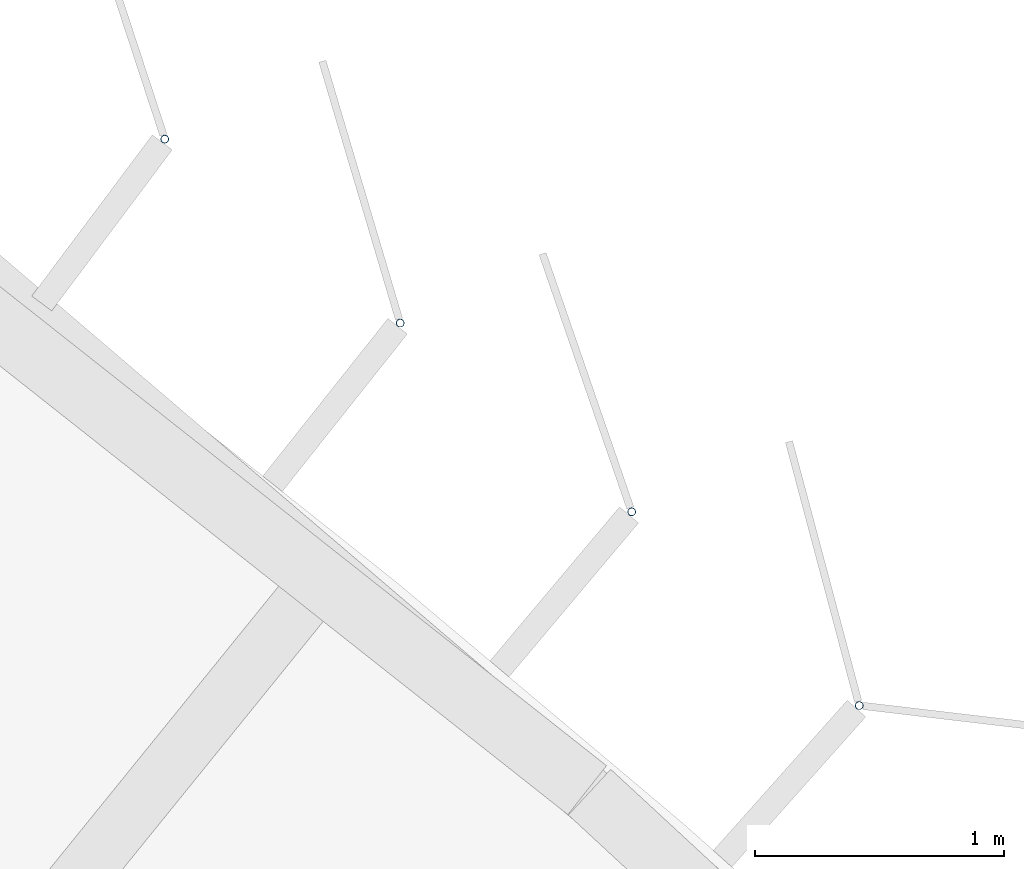
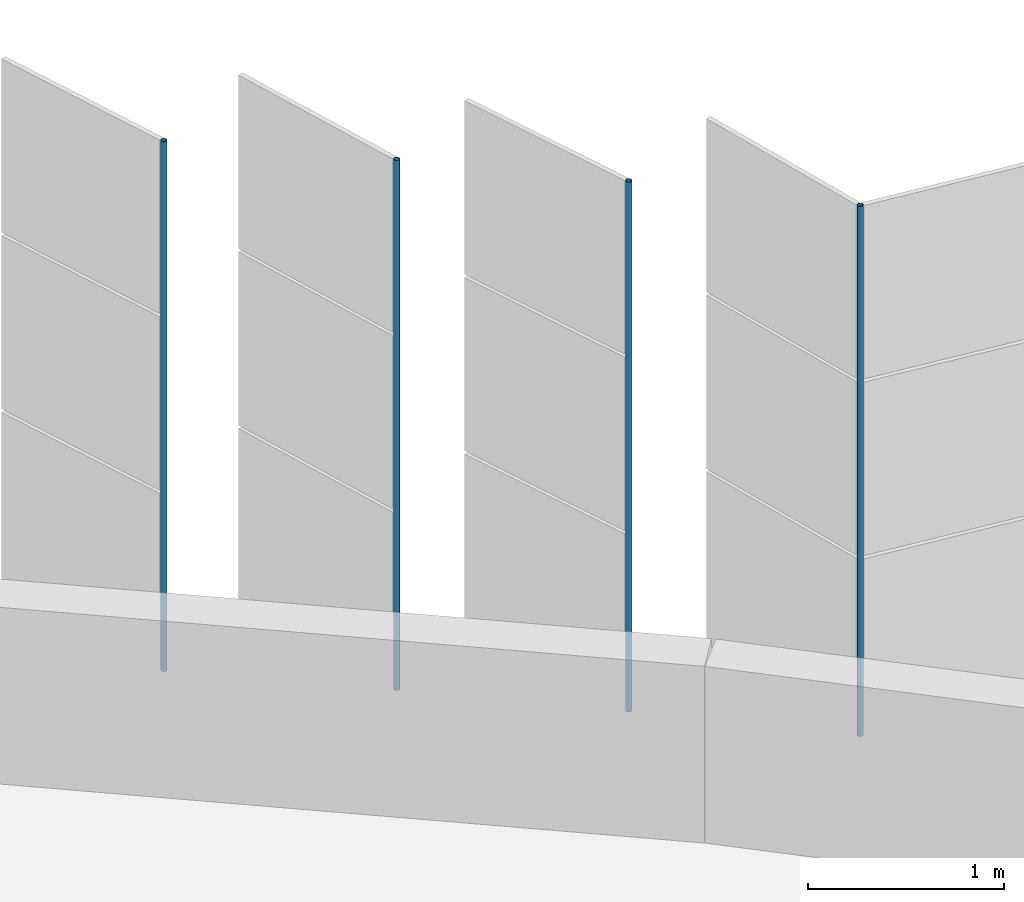
# One storey, part 128 of 199: 4 discrete accessories.
"""IFC4 building model written with IfcOpenShell, lengths in metres."""

from ifc_helpers import new_model, si_unit, direction, frame, origin, origin_2d, place, context, subcontext, project, spatial, hollow_circle, extrude, material, material_profile, profile_set, type_object, element, save


model = new_model("IFC4")

# Units and contexts
model_context = context("Model", 3, precision=1e-05, world=origin(), true_north=direction((0.0, 1.0)))
body_context = subcontext(model_context, "Body", "Model", "MODEL_VIEW")
ifc_project = project(units=[si_unit("LENGTHUNIT", "METRE"), si_unit("AREAUNIT", "SQUARE_METRE"), si_unit("VOLUMEUNIT", "CUBIC_METRE"), si_unit("PLANEANGLEUNIT", "RADIAN"), si_unit("MASSUNIT", "GRAM", prefix="KILO")], contexts=[model_context])

# Site, building, storey
site_placement = place(None, origin())
site = spatial("IfcSite", under=ifc_project, at=site_placement, CompositionType="ELEMENT")
building_placement = place(site_placement, origin())
building = spatial("IfcBuilding", under=site, at=building_placement, Name="Parallax Yard Mobility Hub", CompositionType="ELEMENT")
storey_placement = place(building_placement, frame((0.0, 0.0, 9.89990234375)))
storey = spatial("IfcBuildingStorey", under=building, at=storey_placement, Name="L03", CompositionType="ELEMENT", Elevation=9.89990234375)

# Discrete accessories
ifc_material = material(Name="Steel ASTM A500 Gr C, hot-dip galvanised", Category="steel")
ifc_material_profile = material_profile(ifc_material, hollow_circle(Radius=0.016845703125, WallThickness=0.003173828125, at=origin_2d()), Name="CHS 33.7x3.2")
ifc_profile_set = profile_set([ifc_material_profile], Name="Steel ASTM A500 Gr C, hot-dip galvanised")
discrete_accessory_type = type_object("IfcDiscreteAccessoryType", Name="Hinge post CHS 33.7x3.2", PredefinedType="BRACKET", material=ifc_profile_set)
for number, where, z_axis, x_axis, name in (
    (1, (207.5859375, 130.151123046875, 0.0), (0.0, 0.0, 1.0), (1.0, 0.0, 0.0), "Hinge post bay 46.4 level L03"),
    (2, (206.67236328125, 130.9287109375, 0.0), (0.0, 0.0, 1.0), (1.0, 0.0, 0.0), "Hinge post bay 46.5 level L03"),
    (3, (205.742919921875, 131.686767578125, 0.0), (0.0, 0.0, 1.0), (1.0, 0.0, 0.0), "Hinge post bay 46.6 level L03"),
    (4, (204.797607421875, 132.42529296875, 0.0), (0.0, 0.0, 1.0), (1.0, 0.0, 0.0), "Hinge post bay 46.7 level L03"),
):
    element("IfcDiscreteAccessory", number, at=place(storey_placement, frame(where, z_axis=z_axis, x_axis=x_axis)), inside=storey, type_object=discrete_accessory_type, Name=name, PredefinedType="BRACKET", context=body_context, shape_type="SweptSolid", body=[
        extrude(hollow_circle(Radius=0.016845703125, WallThickness=0.003173828125, at=origin_2d()), origin(), (0.0, 0.0, 1.0), 3.300048828125),
    ])

save(model, "model.ifc")
